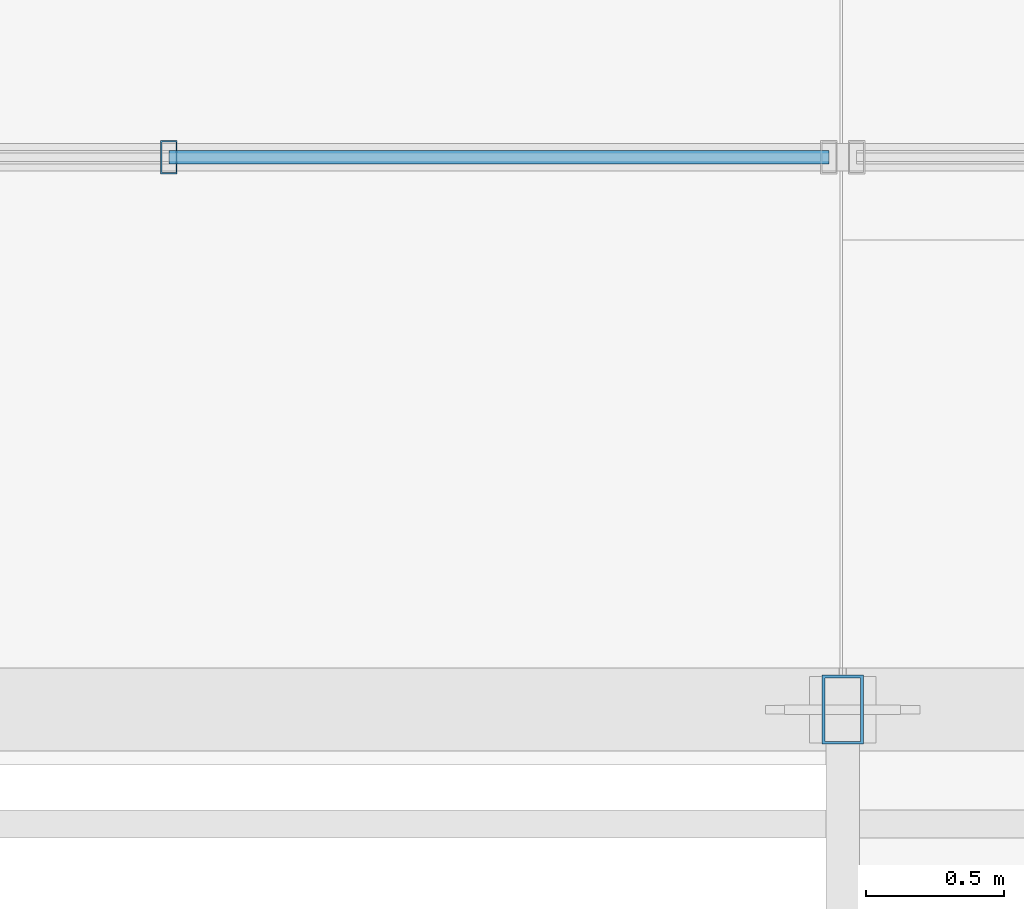
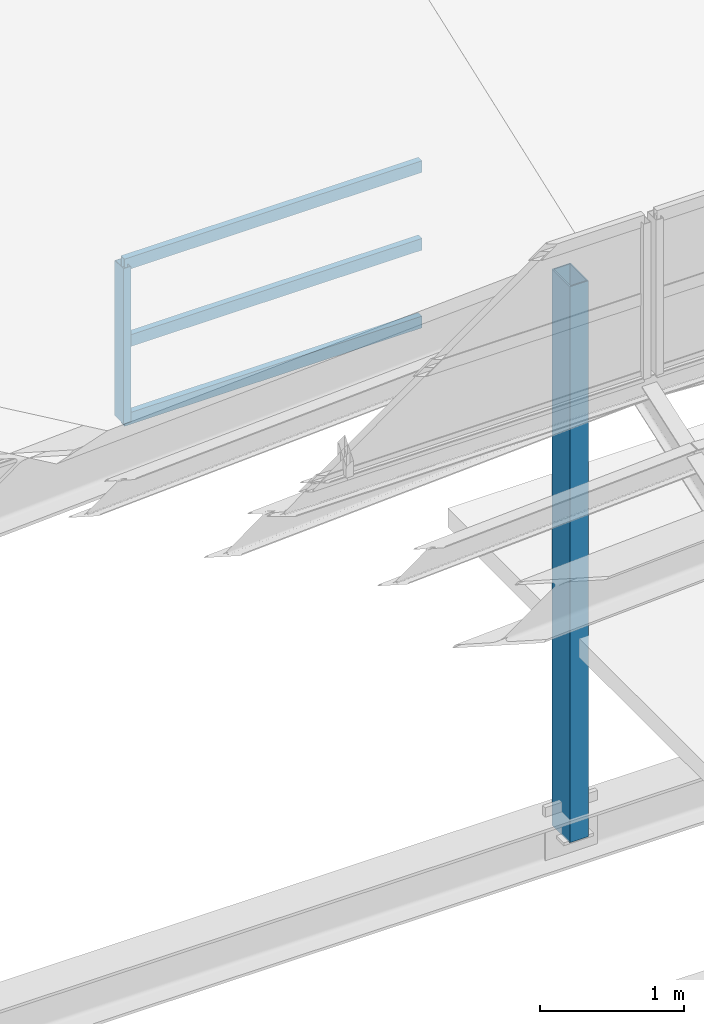
# One storey, part 104 of 141: 5 members, 1 element without a shape of its own.
"""IFC4 building model written with IfcOpenShell, lengths in metres."""

from ifc_helpers import new_model, si_unit, direction, frame, origin, origin_2d, place, context, subcontext, project, spatial, hollow_rectangle, extrude, material, material_profile, profile_set, type_object, element, aggregate, save


model = new_model("IFC4")

# Units and contexts
model_context = context("Model", 3, precision=1e-05, world=origin(), true_north=direction((0.0, 1.0)))
body_context = subcontext(model_context, "Body", "Model", "MODEL_VIEW")
ifc_project = project(units=[si_unit("LENGTHUNIT", "METRE"), si_unit("AREAUNIT", "SQUARE_METRE"), si_unit("VOLUMEUNIT", "CUBIC_METRE"), si_unit("PLANEANGLEUNIT", "RADIAN"), si_unit("MASSUNIT", "GRAM", prefix="KILO")], contexts=[model_context])

# Site, building, storey
site_placement = place(None, origin())
site = spatial("IfcSite", under=ifc_project, at=site_placement, CompositionType="ELEMENT")
building_placement = place(site_placement, origin())
building = spatial("IfcBuilding", under=site, at=building_placement, Name="Sundkrona Museum", CompositionType="ELEMENT")
storey_placement = place(building_placement, frame((0.0, 0.0, 34.0)))
storey = spatial("IfcBuildingStorey", under=building, at=storey_placement, Name="RF", CompositionType="ELEMENT", Elevation=34.0)

# Curtain wall, member
ifc_material_1 = material(Name="Unitised Aluminium-Steel and Ceramic-Clad Curtain Walling", Category="steel")
curtain_wall_type = type_object("IfcCurtainWallType", Name="CW-SW-240x13", PredefinedType="NOTDEFINED", material=ifc_material_1)
curtain_wall_placement = place(storey_placement, origin())
curtain_wall = element("IfcCurtainWall", 1, at=curtain_wall_placement, inside=storey, type_object=curtain_wall_type, Name="Sawtooth Bay 7 West North-Light Clerestory", PredefinedType="NOTDEFINED")
ifc_material_2 = material(Name="Aluminium EN AW-6060 T66", Category="aluminium")
ifc_material_profile_1 = material_profile(ifc_material_2, hollow_rectangle(XDim=0.06005859375, YDim=0.1201171875, WallThickness=0.0048828125, at=origin_2d()), Name="RHS 120x60x5.0")
ifc_profile_set_1 = profile_set([ifc_material_profile_1], Name="Aluminium EN AW-6060 T66")
member_type_1 = type_object("IfcMemberType", Name="ML-120", PredefinedType="MULLION", material=ifc_profile_set_1)
member_1_placement = place(storey_placement, frame((141.56005859375, 45.800048828125, 2.89306640625), z_axis=(0.0, 0.0, 1.0), x_axis=(1.0, 0.0, 0.0)))
member_1 = element("IfcMember", 2, at=member_1_placement, type_object=member_type_1, Name="CW-RF-SAW-07W Mullion 10", PredefinedType="MULLION", context=body_context, shape_type="SweptSolid", body=[
    extrude(hollow_rectangle(XDim=0.06005859375, YDim=0.1201171875, WallThickness=0.0048828125, at=origin_2d()), origin(), (0.0, 0.0, 1.0), 1.31982421875),
])

# Member
ifc_material_3 = material(Name="Steel S355J2", Category="steel")
ifc_material_profile_2 = material_profile(ifc_material_3, hollow_rectangle(XDim=0.14990234375, YDim=0.25, WallThickness=0.010009765625, at=origin_2d()), Name="RHS 250x150x10.0")
ifc_profile_set_2 = profile_set([ifc_material_profile_2], Name="Steel S355J2")
member_type_2 = type_object("IfcMemberType", Name="ST-RHS250", PredefinedType="STRUT", material=ifc_profile_set_2)
member_2_placement = place(storey_placement, frame((144.0, 43.800048828125, -0.25), z_axis=(0.0, 0.0, 1.0), x_axis=(1.0, 0.0, 0.0)))
element("IfcMember", 3, at=member_2_placement, inside=storey, type_object=member_type_2, Name="RFS-1 Sawtooth Truss 7 Vertical Post 4", PredefinedType="STRUT", context=body_context, shape_type="SweptSolid", body=[
    extrude(hollow_rectangle(XDim=0.14990234375, YDim=0.25, WallThickness=0.010009765625, at=origin_2d()), origin(), (0.0, 0.0, 1.0), 4.7236328125),
])

ifc_material_profile_3 = material_profile(ifc_material_2, hollow_rectangle(XDim=0.050048828125, YDim=0.10009765625, WallThickness=0.0048828125, at=origin_2d()), Name="RHS 100x50x5.0")
ifc_profile_set_3 = profile_set([ifc_material_profile_3], Name="Aluminium EN AW-6060 T66")
member_type_3 = type_object("IfcMemberType", Name="TR-100", PredefinedType="USERDEFINED", material=ifc_profile_set_3)
member_3_placement = place(storey_placement, frame((141.56005859375, 45.800048828125, 2.89306640625), z_axis=(1.0, 0.0, 0.0), x_axis=(0.0, 1.0, 0.0)))
member_3 = element("IfcMember", 4, at=member_3_placement, type_object=member_type_3, Name="CW-RF-SAW-07W Transom 28", ObjectType="TRANSOM", PredefinedType="USERDEFINED", context=body_context, shape_type="SweptSolid", body=[
    extrude(hollow_rectangle(XDim=0.050048828125, YDim=0.10009765625, WallThickness=0.0048828125, at=origin_2d()), origin(), (0.0, 0.0, 1.0), 2.389892578125),
])

member_4_placement = place(storey_placement, frame((141.56005859375, 45.800048828125, 3.552978515625), z_axis=(1.0, 0.0, 0.0), x_axis=(0.0, 1.0, 0.0)))
member_4 = element("IfcMember", 5, at=member_4_placement, type_object=member_type_3, Name="CW-RF-SAW-07W Transom 29", ObjectType="TRANSOM", PredefinedType="USERDEFINED", context=body_context, shape_type="SweptSolid", body=[
    extrude(hollow_rectangle(XDim=0.050048828125, YDim=0.10009765625, WallThickness=0.0048828125, at=origin_2d()), origin(), (0.0, 0.0, 1.0), 2.389892578125),
])

member_5_placement = place(storey_placement, frame((141.56005859375, 45.800048828125, 4.212890625), z_axis=(1.0, 0.0, 0.0), x_axis=(0.0, 1.0, 0.0)))
member_5 = element("IfcMember", 6, at=member_5_placement, type_object=member_type_3, Name="CW-RF-SAW-07W Transom 30", ObjectType="TRANSOM", PredefinedType="USERDEFINED", context=body_context, shape_type="SweptSolid", body=[
    extrude(hollow_rectangle(XDim=0.050048828125, YDim=0.10009765625, WallThickness=0.0048828125, at=origin_2d()), origin(), (0.0, 0.0, 1.0), 2.389892578125),
])

aggregate(curtain_wall, [member_1, member_3, member_4, member_5])

save(model, "model.ifc")
